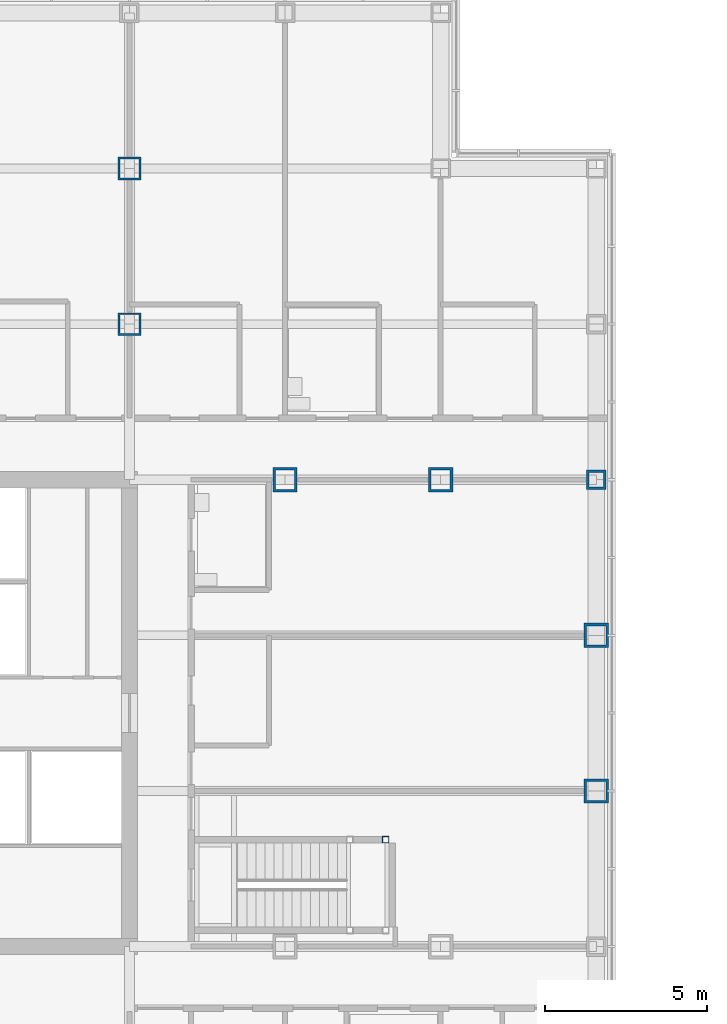
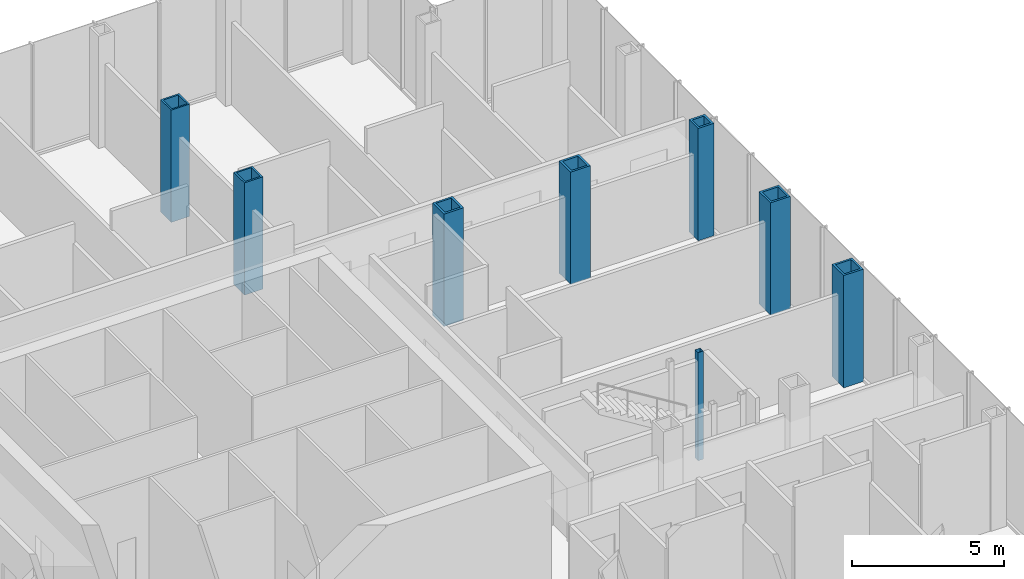
# One storey, part 9 of 28: 8 columns.
"""IFC4 building model written with IfcOpenShell, lengths in metres."""

from ifc_helpers import new_model, si_unit, direction, frame, origin, origin_2d, place, context, subcontext, project, spatial, hollow_rectangle, extrude, material, material_profile, profile_set, type_object, element, save


model = new_model("IFC4")

# Units and contexts
model_context = context("Model", 3, precision=1e-05, world=origin(), true_north=direction((0.0, 1.0)))
body_context = subcontext(model_context, "Body", "Model", "MODEL_VIEW")
ifc_project = project(units=[si_unit("LENGTHUNIT", "METRE"), si_unit("AREAUNIT", "SQUARE_METRE"), si_unit("VOLUMEUNIT", "CUBIC_METRE"), si_unit("PLANEANGLEUNIT", "RADIAN"), si_unit("MASSUNIT", "GRAM", prefix="KILO")], contexts=[model_context])

# Site, building, storey
site_placement = place(None, origin())
site = spatial("IfcSite", under=ifc_project, at=site_placement, CompositionType="ELEMENT")
building_placement = place(site_placement, origin())
building = spatial("IfcBuilding", under=site, at=building_placement, Name="Kvirike Care Tower", CompositionType="ELEMENT")
storey_placement = place(building_placement, frame((0.0, 0.0, 4.5)))
storey = spatial("IfcBuildingStorey", under=building, at=storey_placement, Name="L01", CompositionType="ELEMENT", Elevation=4.5)

# Columns
ifc_material_1 = material(Name="Steel S460", Category="steel")
ifc_material_profile_1 = material_profile(ifc_material_1, hollow_rectangle(XDim=0.60009765625, YDim=0.60009765625, WallThickness=0.080078125, at=origin_2d()), Name="BX 600x600x80")
ifc_profile_set_1 = profile_set([ifc_material_profile_1], Name="Steel S460")
column_type_1 = type_object("IfcColumnType", Name="COLUMN BX 600x600x80", PredefinedType="COLUMN", material=ifc_profile_set_1)
column_1_placement = place(storey_placement, frame((43.199951171875, 43.199951171875, 0.0), z_axis=(0.0, 0.0, 1.0), x_axis=(0.0, 1.0, 0.0)))
element("IfcColumn", 1, at=column_1_placement, inside=storey, type_object=column_type_1, Name="Column K12 L01", PredefinedType="COLUMN", context=body_context, shape_type="SweptSolid", body=[
    extrude(hollow_rectangle(XDim=0.60009765625, YDim=0.60009765625, WallThickness=0.080078125, at=origin_2d()), origin(), (0.0, 0.0, 1.0), 4.5),
])
ifc_material_2 = material(Name="Steel S460", Category="steel")
ifc_material_profile_2 = material_profile(ifc_material_2, hollow_rectangle(XDim=0.699951171875, YDim=0.699951171875, WallThickness=0.06005859375, at=origin_2d()), Name="BX 700x700x60")
ifc_profile_set_2 = profile_set([ifc_material_profile_2], Name="Steel S460")
column_type_2 = type_object("IfcColumnType", Name="COLUMN BX 700x700x60", PredefinedType="COLUMN", material=ifc_profile_set_2)
for number, where, z_axis, x_axis, name in (
    (2, (28.800048828125, 48.0, 0.0), (0.0, 0.0, 1.0), (1.0, 0.0, 0.0), "Column L9 L01"),
    (3, (28.800048828125, 52.800048828125, 0.0), (0.0, 0.0, 1.0), (1.0, 0.0, 0.0), "Column M9 L01"),
):
    element("IfcColumn", number, at=place(storey_placement, frame(where, z_axis=z_axis, x_axis=x_axis)), inside=storey, type_object=column_type_2, Name=name, PredefinedType="COLUMN", context=body_context, shape_type="SweptSolid", body=[
        extrude(hollow_rectangle(XDim=0.699951171875, YDim=0.699951171875, WallThickness=0.06005859375, at=origin_2d()), origin(), (0.0, 0.0, 1.0), 4.5),
    ])
ifc_material_3 = material(Name="Steel S460", Category="steel")
ifc_material_profile_3 = material_profile(ifc_material_3, hollow_rectangle(XDim=0.75, YDim=0.75, WallThickness=0.080078125, at=origin_2d()), Name="BX 750x750x80")
ifc_profile_set_3 = profile_set([ifc_material_profile_3], Name="Steel S460")
column_type_3 = type_object("IfcColumnType", Name="COLUMN BX 750x750x80", PredefinedType="COLUMN", material=ifc_profile_set_3)
for number, where, z_axis, x_axis, name in (
    (4, (33.60009765625, 43.199951171875, 0.0), (0.0, 0.0, 1.0), (0.0, 1.0, 0.0), "Column K10 L01"),
    (5, (38.39990234375, 43.199951171875, 0.0), (0.0, 0.0, 1.0), (0.0, 1.0, 0.0), "Column K11 L01"),
    (6, (43.199951171875, 33.60009765625, 0.0), (0.0, 0.0, 1.0), (1.0, 0.0, 0.0), "Column H12 L01"),
    (7, (43.199951171875, 38.39990234375, 0.0), (0.0, 0.0, 1.0), (1.0, 0.0, 0.0), "Column J12 L01"),
):
    element("IfcColumn", number, at=place(storey_placement, frame(where, z_axis=z_axis, x_axis=x_axis)), inside=storey, type_object=column_type_3, Name=name, PredefinedType="COLUMN", context=body_context, shape_type="SweptSolid", body=[
        extrude(hollow_rectangle(XDim=0.75, YDim=0.75, WallThickness=0.080078125, at=origin_2d()), origin(), (0.0, 0.0, 1.0), 4.5),
    ])
ifc_material_4 = material(Name="Steel S460", Category="steel")
ifc_material_profile_4 = material_profile(ifc_material_4, hollow_rectangle(XDim=0.199951171875, YDim=0.199951171875, WallThickness=0.008056640625, at=origin_2d()), Name="SHS 200x200x8")
ifc_profile_set_4 = profile_set([ifc_material_profile_4], Name="Steel S460")
column_type_4 = type_object("IfcColumnType", Name="STAIR POST SHS 200x200x8", PredefinedType="COLUMN", material=ifc_profile_set_4)
column_2_placement = place(storey_placement, frame((36.699951171875, 32.10009765625, 0.0), z_axis=(0.0, 0.0, 1.0), x_axis=(1.0, 0.0, 0.0)))
element("IfcColumn", 8, at=column_2_placement, inside=storey, type_object=column_type_4, Name="Stair 2 post 2 L01", PredefinedType="COLUMN", context=body_context, shape_type="SweptSolid", body=[
    extrude(hollow_rectangle(XDim=0.199951171875, YDim=0.199951171875, WallThickness=0.008056640625, at=origin_2d()), origin(), (0.0, 0.0, 1.0), 4.330078125),
])

save(model, "model.ifc")
